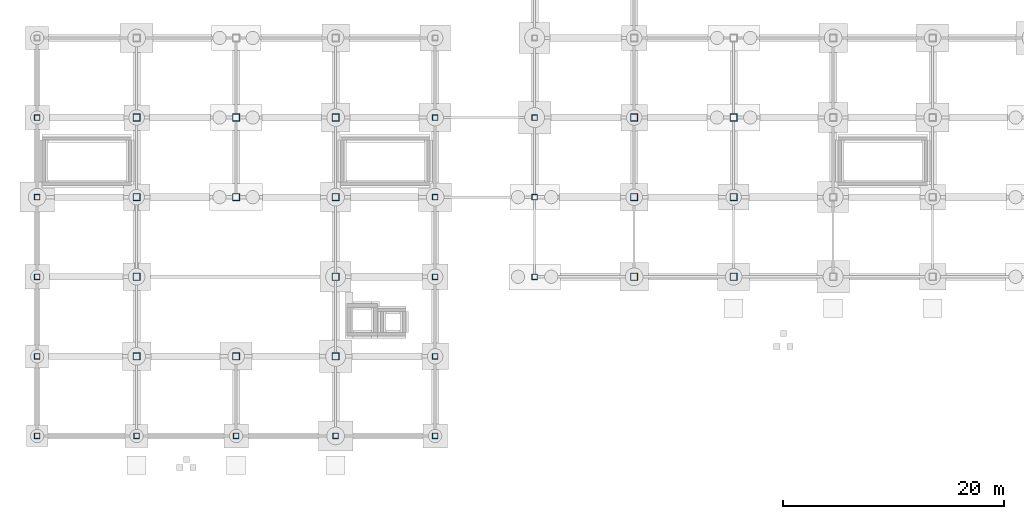
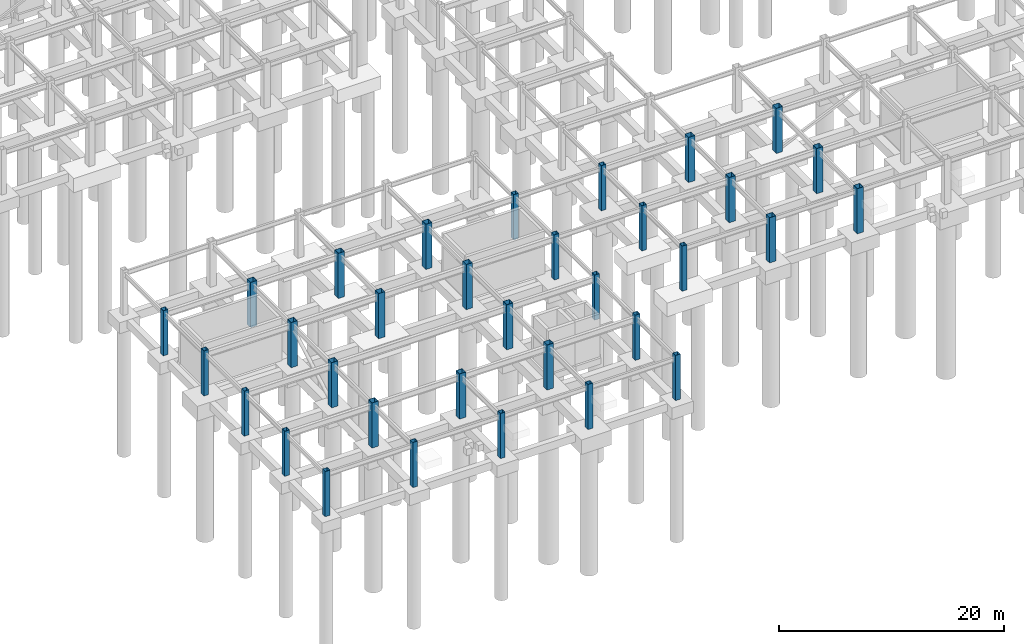
# One storey, part 11 of 28: 33 columns.
"""IFC4 building model written with IfcOpenShell, lengths in metres."""

from ifc_helpers import new_model, si_unit, direction, frame, origin, origin_2d, place, context, subcontext, project, spatial, hollow_rectangle, extrude, material, material_profile, profile_set, type_object, element, save


model = new_model("IFC4")

# Units and contexts
model_context = context("Model", 3, precision=1e-05, world=origin(), true_north=direction((0.0, 1.0)))
body_context = subcontext(model_context, "Body", "Model", "MODEL_VIEW")
ifc_project = project(units=[si_unit("LENGTHUNIT", "METRE"), si_unit("AREAUNIT", "SQUARE_METRE"), si_unit("VOLUMEUNIT", "CUBIC_METRE"), si_unit("PLANEANGLEUNIT", "RADIAN"), si_unit("MASSUNIT", "GRAM", prefix="KILO")], contexts=[model_context])

# Site, building, storey
site_placement = place(None, origin())
site = spatial("IfcSite", under=ifc_project, at=site_placement, CompositionType="ELEMENT")
building_placement = place(site_placement, origin())
building = spatial("IfcBuilding", under=site, at=building_placement, Name="Kazanami Central Library", CompositionType="ELEMENT")
storey_placement = place(building_placement, frame((0.0, 0.0, -4.89990234375)))
storey = spatial("IfcBuildingStorey", under=building, at=storey_placement, Name="B01", CompositionType="ELEMENT", Elevation=-4.89990234375)

# Columns
ifc_material = material(Name="Steel BCP325 (325 MPa)", Category="steel")
ifc_material_profile_1 = material_profile(ifc_material, hollow_rectangle(XDim=0.5, YDim=0.5, WallThickness=0.02197265625, at=origin_2d()), Name="BCP-500x500x22")
ifc_profile_set_1 = profile_set([ifc_material_profile_1], Name="Steel BCP325 (325 MPa)")
column_type_1 = type_object("IfcColumnType", Name="COL-C-P1E", PredefinedType="COLUMN", material=ifc_profile_set_1)
for number, where, z_axis, x_axis, name in (
    (1, (0.0, 0.0, 0.0), (0.0, 0.0, 1.0), (1.0, 0.0, 0.0), "Column C-P1E B01 1/A"),
    (2, (0.0, 7.199951171875, 0.0), (0.0, 0.0, 1.0), (1.0, 0.0, 0.0), "Column C-P1E B01 1/B"),
    (3, (0.0, 14.39990234375, 0.0), (0.0, 0.0, 1.0), (1.0, 0.0, 0.0), "Column C-P1E B01 1/C"),
    (4, (0.0, 21.60009765625, 0.0), (0.0, 0.0, 1.0), (1.0, 0.0, 0.0), "Column C-P1E B01 1/D"),
    (5, (0.0, 28.800048828125, 0.0), (0.0, 0.0, 1.0), (1.0, 0.0, 0.0), "Column C-P1E B01 1/E"),
    (6, (9.0, 0.0, 0.0), (0.0, 0.0, 1.0), (1.0, 0.0, 0.0), "Column C-P1E B01 2/A"),
    (7, (18.0, 0.0, 0.0), (0.0, 0.0, 1.0), (1.0, 0.0, 0.0), "Column C-P1E B01 3/A"),
    (8, (27.0, 0.0, 0.0), (0.0, 0.0, 1.0), (1.0, 0.0, 0.0), "Column C-P1E B01 4/A"),
    (9, (36.0, 0.0, 0.0), (0.0, 0.0, 1.0), (1.0, 0.0, 0.0), "Column C-P1E B01 5/A"),
    (10, (36.0, 7.199951171875, 0.0), (0.0, 0.0, 1.0), (1.0, 0.0, 0.0), "Column C-P1E B01 5/B"),
    (11, (36.0, 14.39990234375, 0.0), (0.0, 0.0, 1.0), (1.0, 0.0, 0.0), "Column C-P1E B01 5/C"),
    (12, (36.0, 21.60009765625, 0.0), (0.0, 0.0, 1.0), (1.0, 0.0, 0.0), "Column C-P1E B01 5/D"),
    (13, (36.0, 28.800048828125, 0.0), (0.0, 0.0, 1.0), (1.0, 0.0, 0.0), "Column C-P1E B01 5/E"),
    (14, (45.0, 14.39990234375, 0.0), (0.0, 0.0, 1.0), (1.0, 0.0, 0.0), "Column C-P1E B01 6/C"),
    (15, (45.0, 21.60009765625, 0.0), (0.0, 0.0, 1.0), (1.0, 0.0, 0.0), "Column C-P1E B01 6/D"),
    (16, (45.0, 28.800048828125, 0.0), (0.0, 0.0, 1.0), (1.0, 0.0, 0.0), "Column C-P1E B01 6/E"),
):
    element("IfcColumn", number, at=place(storey_placement, frame(where, z_axis=z_axis, x_axis=x_axis)), inside=storey, type_object=column_type_1, Name=name, PredefinedType="COLUMN", context=body_context, shape_type="SweptSolid", body=[
        extrude(hollow_rectangle(XDim=0.5, YDim=0.5, WallThickness=0.02197265625, at=origin_2d()), origin(), (0.0, 0.0, 1.0), 4.89990234375),
    ])
ifc_material_profile_2 = material_profile(ifc_material, hollow_rectangle(XDim=0.64990234375, YDim=0.64990234375, WallThickness=0.02490234375, at=origin_2d()), Name="BCP-650x650x25")
ifc_profile_set_2 = profile_set([ifc_material_profile_2], Name="Steel BCP325 (325 MPa)")
column_type_2 = type_object("IfcColumnType", Name="COL-C-P1I", PredefinedType="COLUMN", material=ifc_profile_set_2)
for number, where, z_axis, x_axis, name in (
    (17, (9.0, 7.199951171875, 0.0), (0.0, 0.0, 1.0), (1.0, 0.0, 0.0), "Column C-P1I B01 2/B"),
    (18, (9.0, 14.39990234375, 0.0), (0.0, 0.0, 1.0), (1.0, 0.0, 0.0), "Column C-P1I B01 2/C"),
    (19, (9.0, 21.60009765625, 0.0), (0.0, 0.0, 1.0), (1.0, 0.0, 0.0), "Column C-P1I B01 2/D"),
    (20, (9.0, 28.800048828125, 0.0), (0.0, 0.0, 1.0), (1.0, 0.0, 0.0), "Column C-P1I B01 2/E"),
    (21, (18.0, 7.199951171875, 0.0), (0.0, 0.0, 1.0), (1.0, 0.0, 0.0), "Column C-P1I B01 3/B"),
    (22, (18.0, 21.60009765625, 0.0), (0.0, 0.0, 1.0), (1.0, 0.0, 0.0), "Column C-P1I B01 3/D"),
    (23, (18.0, 28.800048828125, 0.0), (0.0, 0.0, 1.0), (1.0, 0.0, 0.0), "Column C-P1I B01 3/E"),
    (24, (27.0, 7.199951171875, 0.0), (0.0, 0.0, 1.0), (1.0, 0.0, 0.0), "Column C-P1I B01 4/B"),
    (25, (27.0, 14.39990234375, 0.0), (0.0, 0.0, 1.0), (1.0, 0.0, 0.0), "Column C-P1I B01 4/C"),
    (26, (27.0, 21.60009765625, 0.0), (0.0, 0.0, 1.0), (1.0, 0.0, 0.0), "Column C-P1I B01 4/D"),
    (27, (27.0, 28.800048828125, 0.0), (0.0, 0.0, 1.0), (1.0, 0.0, 0.0), "Column C-P1I B01 4/E"),
    (28, (54.0, 14.39990234375, 0.0), (0.0, 0.0, 1.0), (1.0, 0.0, 0.0), "Column C-P1I B01 7/C"),
    (29, (54.0, 21.60009765625, 0.0), (0.0, 0.0, 1.0), (1.0, 0.0, 0.0), "Column C-P1I B01 7/D"),
    (30, (54.0, 28.800048828125, 0.0), (0.0, 0.0, 1.0), (1.0, 0.0, 0.0), "Column C-P1I B01 7/E"),
    (31, (63.0, 14.39990234375, 0.0), (0.0, 0.0, 1.0), (1.0, 0.0, 0.0), "Column C-P1I B01 8/C"),
    (32, (63.0, 21.60009765625, 0.0), (0.0, 0.0, 1.0), (1.0, 0.0, 0.0), "Column C-P1I B01 8/D"),
    (33, (63.0, 28.800048828125, 0.0), (0.0, 0.0, 1.0), (1.0, 0.0, 0.0), "Column C-P1I B01 8/E"),
):
    element("IfcColumn", number, at=place(storey_placement, frame(where, z_axis=z_axis, x_axis=x_axis)), inside=storey, type_object=column_type_2, Name=name, PredefinedType="COLUMN", context=body_context, shape_type="SweptSolid", body=[
        extrude(hollow_rectangle(XDim=0.64990234375, YDim=0.64990234375, WallThickness=0.02490234375, at=origin_2d()), origin(), (0.0, 0.0, 1.0), 4.89990234375),
    ])

save(model, "model.ifc")
